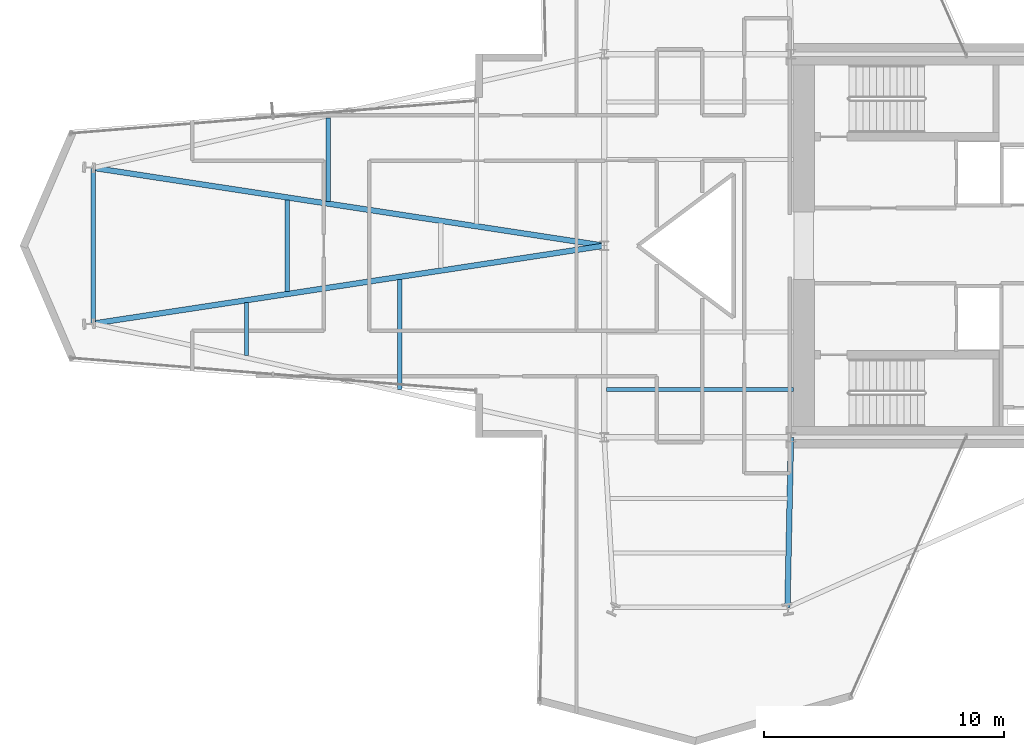
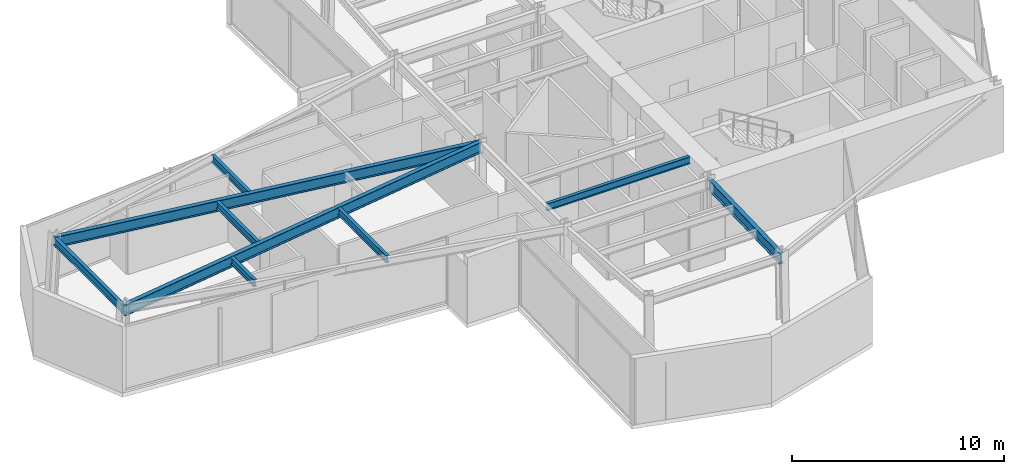
# One storey, part 6 of 24: 9 beams.
"""IFC4 building model written with IfcOpenShell, lengths in metres."""

from ifc_helpers import new_model, si_unit, direction, frame, origin, origin_2d, place, context, subcontext, project, spatial, i_section, extrude, material, material_profile, profile_set, type_object, element, save


model = new_model("IFC4")

# Units and contexts
model_context = context("Model", 3, precision=1e-05, world=origin(), true_north=direction((0.0, 1.0)))
body_context = subcontext(model_context, "Body", "Model", "MODEL_VIEW")
ifc_project = project(units=[si_unit("LENGTHUNIT", "METRE"), si_unit("AREAUNIT", "SQUARE_METRE"), si_unit("VOLUMEUNIT", "CUBIC_METRE"), si_unit("PLANEANGLEUNIT", "RADIAN"), si_unit("MASSUNIT", "GRAM", prefix="KILO")], contexts=[model_context])

# Site, building, storey
site_placement = place(None, origin())
site = spatial("IfcSite", under=ifc_project, at=site_placement, CompositionType="ELEMENT")
building_placement = place(site_placement, origin())
building = spatial("IfcBuilding", under=site, at=building_placement, Name="Veymaron Broadcast Tower", CompositionType="ELEMENT")
storey_placement = place(building_placement, frame((0.0, 0.0, 98.550048828125)))
storey = spatial("IfcBuildingStorey", under=building, at=storey_placement, Name="L22", CompositionType="ELEMENT", Elevation=98.550048828125)

# Beams
ifc_material = material(Name="Structural steel ASTM A992 Gr 50", Category="steel")
ifc_material_profile_1 = material_profile(ifc_material, i_section(OverallWidth=0.22998046875, OverallDepth=0.616943359375, WebThickness=0.01318359375, FlangeThickness=0.022216796875, at=origin_2d()), Name="W610X140")
ifc_profile_set_1 = profile_set([ifc_material_profile_1], Name="Structural steel ASTM A992 Gr 50")
beam_type_1 = type_object("IfcBeamType", Name="BM-FG1", PredefinedType="BEAM", material=ifc_profile_set_1)
for number, where, z_axis, x_axis, name in (
    (1, (9.8701171875, 20.75, 3.50146484375), (0.98859017297, 0.150630242341, 0.0), (-0.150630242341, 0.98859017297, 0.0), "L22 primary structural floor girder"),
    (2, (9.8701171875, 27.25, 3.50146484375), (0.98859017297, -0.150630242341, 0.0), (0.150630242341, 0.98859017297, 0.0), "L22 primary structural floor girder"),
):
    element("IfcBeam", number, at=place(storey_placement, frame(where, z_axis=z_axis, x_axis=x_axis)), inside=storey, type_object=beam_type_1, Name=name, PredefinedType="BEAM", context=body_context, shape_type="SweptSolid", body=[
        extrude(i_section(OverallWidth=0.22998046875, OverallDepth=0.616943359375, WebThickness=0.01318359375, FlangeThickness=0.022216796875, at=origin_2d()), origin(), (0.0, 0.0, 1.0), 21.575927734375),
    ])
beam_1_placement = place(storey_placement, frame((39.0, 16.0, 3.50146484375), z_axis=(-0.021108011879, -0.999777201098, 0.0), x_axis=(0.999777201098, -0.021108011879, 0.0)))
element("IfcBeam", 3, at=beam_1_placement, inside=storey, type_object=beam_type_1, Name="L22 primary structural floor girder", PredefinedType="BEAM", context=body_context, shape_type="SweptSolid", body=[
    extrude(i_section(OverallWidth=0.22998046875, OverallDepth=0.616943359375, WebThickness=0.01318359375, FlangeThickness=0.022216796875, at=origin_2d()), origin(), (0.0, 0.0, 1.0), 7.1015625),
])
ifc_material_profile_2 = material_profile(ifc_material, i_section(OverallWidth=0.177978515625, OverallDepth=0.406982421875, WebThickness=0.0078125, FlangeThickness=0.0126953125, at=origin_2d()), Name="W410X60")
ifc_profile_set_2 = profile_set([ifc_material_profile_2], Name="Structural steel ASTM A992 Gr 50")
beam_type_2 = type_object("IfcBeamType", Name="BM-JS1", PredefinedType="JOIST", material=ifc_profile_set_2)
beam_2_placement = place(storey_placement, frame((16.26904296875, 19.425048828125, 3.6064453125), z_axis=(0.0, 1.0, 0.0), x_axis=(-1.0, 0.0, 0.0)))
element("IfcBeam", 4, at=beam_2_placement, inside=storey, type_object=beam_type_2, Name="L22 Arm-A secondary joist 1S", PredefinedType="JOIST", context=body_context, shape_type="SweptSolid", body=[
    extrude(i_section(OverallWidth=0.177978515625, OverallDepth=0.406982421875, WebThickness=0.0078125, FlangeThickness=0.0126953125, at=origin_2d()), origin(), (0.0, 0.0, 1.0), 2.199951171875),
])
beam_3_placement = place(storey_placement, frame((17.975341796875, 22.0849609375, 3.6064453125), z_axis=(0.0, 1.0, 0.0), x_axis=(-1.0, 0.0, 0.0)))
element("IfcBeam", 5, at=beam_3_placement, inside=storey, type_object=beam_type_2, Name="L22 Arm-A secondary joist 1M", PredefinedType="JOIST", context=body_context, shape_type="SweptSolid", body=[
    extrude(i_section(OverallWidth=0.177978515625, OverallDepth=0.406982421875, WebThickness=0.0078125, FlangeThickness=0.0126953125, at=origin_2d()), origin(), (0.0, 0.0, 1.0), 3.830078125),
])
beam_4_placement = place(storey_placement, frame((19.681884765625, 25.85498046875, 3.6064453125), z_axis=(0.0, 1.0, 0.0), x_axis=(-1.0, 0.0, 0.0)))
element("IfcBeam", 6, at=beam_4_placement, inside=storey, type_object=beam_type_2, Name="L22 Arm-A secondary joist 1N", PredefinedType="JOIST", context=body_context, shape_type="SweptSolid", body=[
    extrude(i_section(OverallWidth=0.177978515625, OverallDepth=0.406982421875, WebThickness=0.0078125, FlangeThickness=0.0126953125, at=origin_2d()), origin(), (0.0, 0.0, 1.0), 3.47998046875),
])
beam_5_placement = place(storey_placement, frame((22.66796875, 18.0, 3.6064453125), z_axis=(0.0, 1.0, 0.0), x_axis=(-1.0, 0.0, 0.0)))
element("IfcBeam", 7, at=beam_5_placement, inside=storey, type_object=beam_type_2, Name="L22 Arm-A secondary joist 2S", PredefinedType="JOIST", context=body_context, shape_type="SweptSolid", body=[
    extrude(i_section(OverallWidth=0.177978515625, OverallDepth=0.406982421875, WebThickness=0.0078125, FlangeThickness=0.0126953125, at=origin_2d()), origin(), (0.0, 0.0, 1.0), 4.60009765625),
])
beam_6_placement = place(storey_placement, frame((31.300048828125, 18.0, 3.6064453125), z_axis=(1.0, 0.0, 0.0), x_axis=(0.0, 1.0, 0.0)))
element("IfcBeam", 8, at=beam_6_placement, inside=storey, type_object=beam_type_2, Name="L22 Hub secondary joist 1", PredefinedType="JOIST", context=body_context, shape_type="SweptSolid", body=[
    extrude(i_section(OverallWidth=0.177978515625, OverallDepth=0.406982421875, WebThickness=0.0078125, FlangeThickness=0.0126953125, at=origin_2d()), origin(), (0.0, 0.0, 1.0), 7.800048828125),
])
ifc_material_profile_3 = material_profile(ifc_material, i_section(OverallWidth=0.19091796875, OverallDepth=0.4599609375, WebThickness=0.010009765625, FlangeThickness=0.01611328125, at=origin_2d()), Name="W460X82")
ifc_profile_set_3 = profile_set([ifc_material_profile_3], Name="Structural steel ASTM A992 Gr 50")
beam_type_3 = type_object("IfcBeamType", Name="BM-SP1", PredefinedType="SPANDREL", material=ifc_profile_set_3)
beam_7_placement = place(storey_placement, frame((9.8701171875, 20.75, 3.579833984375), z_axis=(0.0, 1.0, 0.0), x_axis=(-1.0, 0.0, 0.0)))
element("IfcBeam", 9, at=beam_7_placement, inside=storey, type_object=beam_type_3, Name="L22 primary structural floor girder", PredefinedType="SPANDREL", context=body_context, shape_type="SweptSolid", body=[
    extrude(i_section(OverallWidth=0.19091796875, OverallDepth=0.4599609375, WebThickness=0.010009765625, FlangeThickness=0.01611328125, at=origin_2d()), origin(), (0.0, 0.0, 1.0), 6.5),
])

save(model, "model.ifc")
